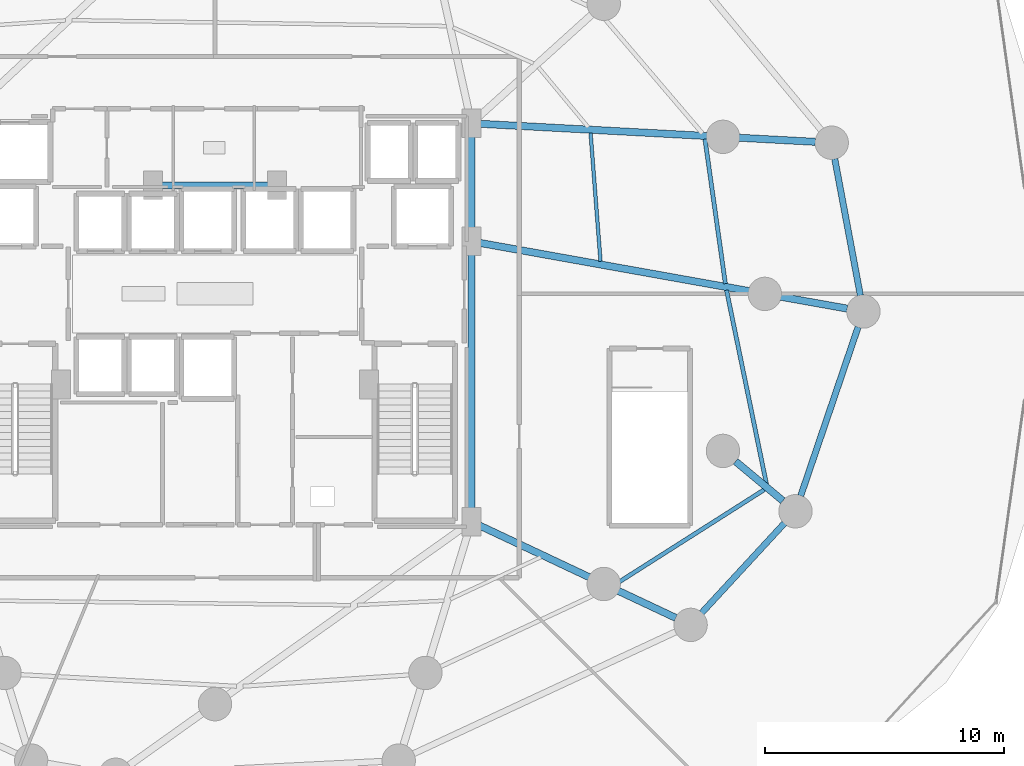
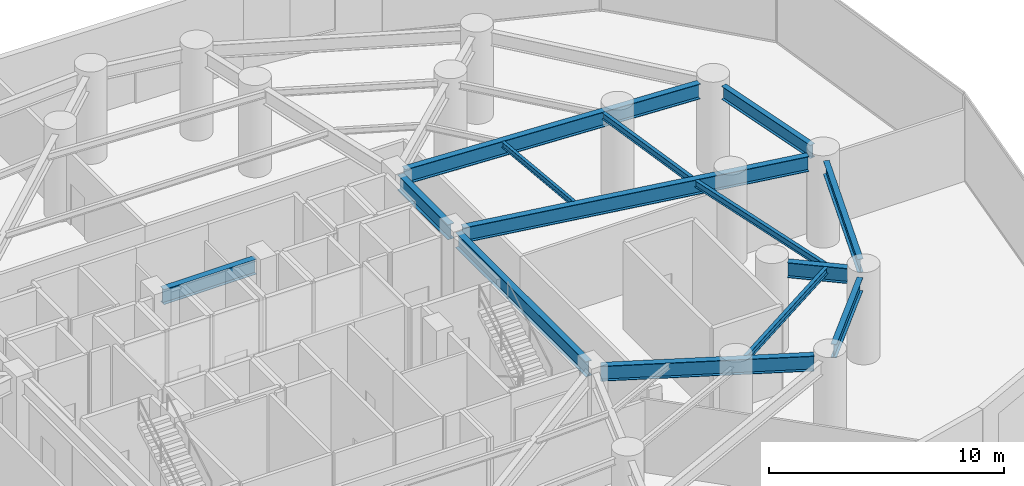
# One storey, part 13 of 32: 14 beams.
"""IFC4 building model written with IfcOpenShell, lengths in metres."""

import ifcopenshell
import ifcopenshell.guid

model = None  # the IFC model being written
_history = None  # IfcOwnerHistory: only IFC2X3 demands one
_inside = {}  # id of a spatial element -> (the spatial element, [elements in it])
_under = {}  # id of a project, library or spatial element -> (it, [spatial elements below it])
_declared = {}  # id of a project -> (the project, [libraries it declares])
_typed = {}  # id of a type object -> (the type object, [elements of that type])
_made_of = {}  # id of a material, layer set ... -> (it, [elements and type objects made of it])


def new_model(schema):
    """Start an empty IFC model of exactly this schema.

    Asked for "IFC4X3", IfcOpenShell would pick the latest addendum, in which some entities
    have other attributes; the version numbers below select the first issue.
    IFC2X3 requires an IfcOwnerHistory on every rooted entity: one is made here for all.
    """
    global model, _history
    if schema == "IFC4X3":
        model = ifcopenshell.file(schema_version=(4, 3, 0, 0))
    else:
        model = ifcopenshell.file(schema=schema)
    _inside.clear()
    _under.clear()
    _declared.clear()
    _typed.clear()
    _made_of.clear()
    _history = None
    if model.schema == "IFC2X3":
        org = make("IfcOrganization", Name="unknown")
        user = make(
            "IfcPersonAndOrganization",
            ThePerson=make("IfcPerson", FamilyName="unknown"),
            TheOrganization=org,
        )
        app = make(
            "IfcApplication",
            ApplicationDeveloper=org,
            Version="unknown",
            ApplicationFullName="unknown",
            ApplicationIdentifier="unknown",
        )
        _history = make(
            "IfcOwnerHistory",
            OwningUser=user,
            OwningApplication=app,
            ChangeAction="ADDED",
            CreationDate=0,
        )
    return model


def make(cls, **values):
    """One entity of the class cls with the attributes given. An attribute that is None is left unset."""
    return model.create_entity(
        cls, **{name: value for name, value in values.items() if value is not None}
    )


def rooted(cls, **values):
    """An entity with a GlobalId (a new one), such as an element, a storey or a relation."""
    return make(cls, GlobalId=ifcopenshell.guid.new(), OwnerHistory=_history, **values)


def si_unit(unit_type, name, prefix=None):
    """IfcSIUnit, for example si_unit("LENGTHUNIT", "METRE", prefix="MILLI")."""
    return make("IfcSIUnit", UnitType=unit_type, Prefix=prefix, Name=name)


def assignment(units):
    """IfcUnitAssignment: the units of a project."""
    return None if units is None else make("IfcUnitAssignment", Units=units)


def point(xyz):
    """IfcCartesianPoint."""
    return None if xyz is None else make("IfcCartesianPoint", Coordinates=xyz)


def direction(xyz):
    """IfcDirection."""
    return None if xyz is None else make("IfcDirection", DirectionRatios=xyz)


def frame(location, z_axis=None, x_axis=None):
    """IfcAxis2Placement3D, a coordinate frame: its origin and axes. An axis left out is left unset."""
    return make(
        "IfcAxis2Placement3D",
        Location=point(location),
        Axis=direction(z_axis),
        RefDirection=direction(x_axis),
    )


def frame_2d(location, x_axis=None):
    """IfcAxis2Placement2D, a coordinate frame in the plane: its origin and x axis."""
    return make(
        "IfcAxis2Placement2D", Location=point(location), RefDirection=direction(x_axis)
    )


def origin():
    """The frame at (0, 0, 0) with its axes left unset."""
    return frame((0.0, 0.0, 0.0))


def origin_2d():
    """The frame at (0, 0) in the plane with its x axis left unset."""
    return frame_2d((0.0, 0.0))


def place(relative_to, where):
    """IfcLocalPlacement: puts the frame where relative to a parent placement (None: the world)."""
    return make(
        "IfcLocalPlacement", PlacementRelTo=relative_to, RelativePlacement=where
    )


def context(
    kind, dimensions, precision=None, world=None, true_north=None, identifier=None
):
    """IfcGeometricRepresentationContext, for example the 3D "Model" context."""
    return make(
        "IfcGeometricRepresentationContext",
        ContextIdentifier=identifier,
        ContextType=kind,
        CoordinateSpaceDimension=dimensions,
        Precision=precision,
        WorldCoordinateSystem=world,
        TrueNorth=true_north,
    )


def subcontext(parent, identifier, kind, view, scale=None):
    """IfcGeometricRepresentationSubContext, for example "Body" below "Model"."""
    return make(
        "IfcGeometricRepresentationSubContext",
        ContextIdentifier=identifier,
        ContextType=kind,
        ParentContext=parent,
        TargetScale=scale,
        TargetView=view,
    )


def project(units=None, contexts=None):
    """IfcProject with its units and contexts."""
    return rooted(
        "IfcProject",
        Name="project",
        RepresentationContexts=contexts,
        UnitsInContext=assignment(units),
    )


def spatial(cls, under=None, at=None, **own):
    """A site, building, storey or space (cls), placed at a placement, below another one or the project."""
    s = rooted(cls, ObjectPlacement=at, **own)
    if under is not None:
        _under.setdefault(under.id(), (under, []))[1].append(s)
    return s


def profile(cls, at=None, kind="AREA", **sizes):
    """A parametric profile (cls). Its sizes go by their IFC names, for example OverallWidth=200.0."""
    return make(cls, ProfileType=kind, Position=at, **sizes)


def i_section(**sizes):
    """IfcIShapeProfileDef."""
    return profile("IfcIShapeProfileDef", **sizes)


def extrude(swept, where, along, depth):
    """IfcExtrudedAreaSolid: the profile swept, set in the frame where, extruded along a direction by depth."""
    return make(
        "IfcExtrudedAreaSolid",
        SweptArea=swept,
        Position=where,
        ExtrudedDirection=direction(along),
        Depth=depth,
    )


def shape(context_of_items, identifier, shape_type, items):
    """IfcShapeRepresentation: the items that make up one representation, for example the "Body"."""
    return make(
        "IfcShapeRepresentation",
        ContextOfItems=context_of_items,
        RepresentationIdentifier=identifier,
        RepresentationType=shape_type,
        Items=items,
    )


def material(Name=None, Category=None):
    """IfcMaterial."""
    return make("IfcMaterial", Name=Name, Category=Category)


def material_profile(
    of_material, cross_section, Name=None, Category=None, Priority=None
):
    """IfcMaterialProfile: a cross section and its material."""
    return make(
        "IfcMaterialProfile",
        Name=Name,
        Material=of_material,
        Profile=cross_section,
        Priority=Priority,
        Category=Category,
    )


def profile_set(profiles, Name=None, composite=None):
    """IfcMaterialProfileSet."""
    return make(
        "IfcMaterialProfileSet",
        Name=Name,
        MaterialProfiles=profiles,
        CompositeProfile=composite,
    )


def made_of(thing, what):
    """Note that an element or type object is made of a material, layer set ...; save() writes the relation."""
    if what is not None:
        _made_of.setdefault(what.id(), (what, []))[1].append(thing)
    return thing


def type_object(cls, material=None, **own):
    """A type object (cls), such as IfcWallType, which elements share."""
    return made_of(rooted(cls, **own), material)


def element(
    cls,
    number,
    at=None,
    inside=None,
    cuts=None,
    type_object=None,
    material=None,
    context=None,
    identifier="Body",
    shape_type=None,
    held_by="IfcProductDefinitionShape",
    body=None,
    shapes=None,
    **own,
):
    """One element of the class cls, such as IfcWall. Its Tag is "e" and its number.

    at: its placement. inside: the storey or other place that contains it. cuts: it is an
    opening in that element (IfcRelVoidsElement). A single representation is given by context,
    identifier, shape_type and body (its items); several are given by shapes. held_by: the class
    of the entity that holds the representations. save() writes the other relations.
    """
    e = rooted(cls, Tag="e%d" % number, ObjectPlacement=at, **own)
    if body is not None:
        shapes = [shape(context, identifier, shape_type, body)]
    if shapes is not None:
        e.Representation = make(held_by, Representations=shapes)
    if inside is not None:
        _inside.setdefault(inside.id(), (inside, []))[1].append(e)
    if cuts is not None:
        rooted(
            "IfcRelVoidsElement", RelatingBuildingElement=cuts, RelatedOpeningElement=e
        )
    if type_object is not None:
        _typed.setdefault(type_object.id(), (type_object, []))[1].append(e)
    return made_of(e, material)


def aggregate(whole, parts):
    """IfcRelAggregates: a whole, such as a stair, and the parts it consists of."""
    return rooted("IfcRelAggregates", RelatingObject=whole, RelatedObjects=parts)


def save(model, path):
    """Write the relations noted so far, then the file.

    IfcRelAggregates (storeys below a building ...), IfcRelContainedInSpatialStructure (elements
    in a storey), IfcRelDefinesByType, IfcRelAssociatesMaterial and IfcRelDeclares: one each for
    every whole, place, type object, material and project.
    """
    for whole, parts in _under.values():
        aggregate(whole, parts)
    for where, things in _inside.values():
        rooted(
            "IfcRelContainedInSpatialStructure",
            RelatedElements=things,
            RelatingStructure=where,
        )
    for kind, things in _typed.values():
        rooted("IfcRelDefinesByType", RelatedObjects=things, RelatingType=kind)
    for what, things in _made_of.values():
        rooted("IfcRelAssociatesMaterial", RelatedObjects=things, RelatingMaterial=what)
    for by, libraries in _declared.values():
        rooted("IfcRelDeclares", RelatingContext=by, RelatedDefinitions=libraries)
    model.write(path)


model = new_model("IFC4")

# Units and contexts
model_context = context("Model", 3, precision=1e-05, world=origin(), true_north=direction((0.0, 1.0)))
body_context = subcontext(model_context, "Body", "Model", "MODEL_VIEW")
ifc_project = project(units=[si_unit("LENGTHUNIT", "METRE"), si_unit("AREAUNIT", "SQUARE_METRE"), si_unit("VOLUMEUNIT", "CUBIC_METRE"), si_unit("PLANEANGLEUNIT", "RADIAN"), si_unit("MASSUNIT", "GRAM", prefix="KILO")], contexts=[model_context])

# Site, building, storey
site_placement = place(None, origin())
site = spatial("IfcSite", under=ifc_project, at=site_placement, CompositionType="ELEMENT")
building_placement = place(site_placement, origin())
building = spatial("IfcBuilding", under=site, at=building_placement, Name="Vorneva Point Tower", CompositionType="ELEMENT")
storey_placement = place(building_placement, frame((0.0, 0.0, 19.199951171875)))
storey = spatial("IfcBuildingStorey", under=building, at=storey_placement, Name="L04", CompositionType="ELEMENT", Elevation=19.199951171875)

# Beams
ifc_material = material(Name="Steel S355", Category="steel")
ifc_material_profile_1 = material_profile(ifc_material, i_section(OverallWidth=0.300048828125, OverallDepth=0.7880859375, WebThickness=0.014404296875, FlangeThickness=0.02197265625, at=origin_2d()), Name="80Sh1")
ifc_profile_set_1 = profile_set([ifc_material_profile_1], Name="Steel S355")
beam_type_1 = type_object("IfcBeamType", Name="BM-GRD-80Sh1", PredefinedType="USERDEFINED", material=ifc_profile_set_1)
beam_1_placement = place(storey_placement, frame((64.5048828125, 25.382080078125, 4.14599609375), z_axis=(-0.984378315353, 0.17606627236, 0.0), x_axis=(-0.17606627236, -0.984378315353, 0.0)))
element("IfcBeam", 1, at=beam_1_placement, inside=storey, type_object=beam_type_1, Name="L04 Radial Primary Girder 01", ObjectType="GIRDER", PredefinedType="USERDEFINED", context=body_context, shape_type="SweptSolid", body=[
    extrude(i_section(OverallWidth=0.300048828125, OverallDepth=0.7880859375, WebThickness=0.014404296875, FlangeThickness=0.02197265625, at=origin_2d()), origin(), (0.0, 0.0, 1.0), 15.664794921875),
])
beam_2_placement = place(storey_placement, frame((63.16748046875, 32.373779296875, 4.14599609375), z_axis=(-0.998554305988, 0.053752190586, 0.0), x_axis=(-0.053752190586, -0.998554305988, 0.0)))
element("IfcBeam", 2, at=beam_2_placement, inside=storey, type_object=beam_type_1, Name="L04 Radial Primary Girder 02", ObjectType="GIRDER", PredefinedType="USERDEFINED", context=body_context, shape_type="SweptSolid", body=[
    extrude(i_section(OverallWidth=0.300048828125, OverallDepth=0.7880859375, WebThickness=0.014404296875, FlangeThickness=0.02197265625, at=origin_2d()), origin(), (0.0, 0.0, 1.0), 14.09814453125),
])
beam_3_placement = place(storey_placement, frame((57.316162109375, 12.417236328125, 4.14599609375), z_axis=(-0.904752620724, 0.425937431195, 0.0), x_axis=(-0.425937431195, -0.904752620724, 0.0)))
element("IfcBeam", 3, at=beam_3_placement, inside=storey, type_object=beam_type_1, Name="L04 Radial Primary Girder 15", ObjectType="GIRDER", PredefinedType="USERDEFINED", context=body_context, shape_type="SweptSolid", body=[
    extrude(i_section(OverallWidth=0.300048828125, OverallDepth=0.7880859375, WebThickness=0.014404296875, FlangeThickness=0.02197265625, at=origin_2d()), origin(), (0.0, 0.0, 1.0), 9.1279296875),
])
beam_4_placement = place(storey_placement, frame((61.80615234375, 17.326904296875, 4.14599609375), z_axis=(-0.768407453213, 0.639960925249, 0.0), x_axis=(-0.639960925249, -0.768407453213, 0.0)))
element("IfcBeam", 4, at=beam_4_placement, inside=storey, type_object=beam_type_1, Name="L04 Radial Primary Girder 16", ObjectType="GIRDER", PredefinedType="USERDEFINED", context=body_context, shape_type="SweptSolid", body=[
    extrude(i_section(OverallWidth=0.300048828125, OverallDepth=0.7880859375, WebThickness=0.014404296875, FlangeThickness=0.02197265625, at=origin_2d()), origin(), (0.0, 0.0, 1.0), 2.579345703125),
])
beam_5_placement = place(storey_placement, frame((48.75, 16.77001953125, 4.14599609375), z_axis=(0.0, 1.0, 0.0), x_axis=(-1.0, 0.0, 0.0)))
element("IfcBeam", 5, at=beam_5_placement, inside=storey, type_object=beam_type_1, Name="L04 Core Tie Girder CT3", ObjectType="GIRDER", PredefinedType="USERDEFINED", context=body_context, shape_type="SweptSolid", body=[
    extrude(i_section(OverallWidth=0.300048828125, OverallDepth=0.7880859375, WebThickness=0.014404296875, FlangeThickness=0.02197265625, at=origin_2d()), origin(), (0.0, 0.0, 1.0), 11.10986328125),
])
beam_6_placement = place(storey_placement, frame((48.75, 28.52001953125, 4.14599609375), z_axis=(0.0, 1.0, 0.0), x_axis=(-1.0, 0.0, 0.0)))
element("IfcBeam", 6, at=beam_6_placement, inside=storey, type_object=beam_type_1, Name="L04 Core Tie Girder CT4", ObjectType="GIRDER", PredefinedType="USERDEFINED", context=body_context, shape_type="SweptSolid", body=[
    extrude(i_section(OverallWidth=0.300048828125, OverallDepth=0.7880859375, WebThickness=0.014404296875, FlangeThickness=0.02197265625, at=origin_2d()), origin(), (0.0, 0.0, 1.0), 4.31005859375),
])
beam_7_placement = place(storey_placement, frame((35.719970703125, 30.550048828125, 4.14599609375), z_axis=(1.0, 0.0, 0.0), x_axis=(0.0, 1.0, 0.0)))
element("IfcBeam", 7, at=beam_7_placement, inside=storey, type_object=beam_type_1, Name="L04 Core Tie Girder CT8", ObjectType="GIRDER", PredefinedType="USERDEFINED", context=body_context, shape_type="SweptSolid", body=[
    extrude(i_section(OverallWidth=0.300048828125, OverallDepth=0.7880859375, WebThickness=0.014404296875, FlangeThickness=0.02197265625, at=origin_2d()), origin(), (0.0, 0.0, 1.0), 4.56005859375),
])
ifc_material_profile_2 = material_profile(ifc_material, i_section(OverallWidth=0.14892578125, OverallDepth=0.298095703125, WebThickness=0.005615234375, FlangeThickness=0.008056640625, at=origin_2d()), Name="30B1")
ifc_profile_set_2 = profile_set([ifc_material_profile_2], Name="Steel S355")
beam_type_2 = type_object("IfcBeamType", Name="BM-JST-30B1", PredefinedType="JOIST", material=ifc_profile_set_2)
beam_8_placement = place(storey_placement, frame((54.16259765625, 27.367431640625, 4.39111328125), z_axis=(-0.077281576911, 0.997009306812, 0.0), x_axis=(-0.997009306812, -0.077281576911, 0.0)))
element("IfcBeam", 8, at=beam_8_placement, inside=storey, type_object=beam_type_2, Name="L04 Secondary Floor Beam 2.01", PredefinedType="JOIST", context=body_context, shape_type="SweptSolid", body=[
    extrude(i_section(OverallWidth=0.14892578125, OverallDepth=0.298095703125, WebThickness=0.005615234375, FlangeThickness=0.008056640625, at=origin_2d()), origin(), (0.0, 0.0, 1.0), 5.392578125),
])
ifc_material_profile_3 = material_profile(ifc_material, i_section(OverallWidth=0.174072265625, OverallDepth=0.345947265625, WebThickness=0.006103515625, FlangeThickness=0.009033203125, at=origin_2d()), Name="35B1")
ifc_profile_set_3 = profile_set([ifc_material_profile_3], Name="Steel S355")
beam_type_3 = type_object("IfcBeamType", Name="BM-SEC-35B1", PredefinedType="BEAM", material=ifc_profile_set_3)
beam_9_placement = place(storey_placement, frame((59.39697265625, 26.4287109375, 4.366943359375), z_axis=(-0.139890609966, 0.990166964326, 0.0), x_axis=(-0.990166964326, -0.139890609966, 0.0)))
element("IfcBeam", 9, at=beam_9_placement, inside=storey, type_object=beam_type_3, Name="L04 Secondary Floor Beam 1.01", PredefinedType="BEAM", context=body_context, shape_type="SweptSolid", body=[
    extrude(i_section(OverallWidth=0.174072265625, OverallDepth=0.345947265625, WebThickness=0.006103515625, FlangeThickness=0.009033203125, at=origin_2d()), origin(), (0.0, 0.0, 1.0), 6.11865234375),
])
beam_10_placement = place(storey_placement, frame((54.707275390625, 13.7744140625, 4.366943359375), z_axis=(0.84390002524, 0.53650046356, 0.0), x_axis=(-0.53650046356, 0.84390002524, 0.0)))
element("IfcBeam", 10, at=beam_10_placement, inside=storey, type_object=beam_type_3, Name="L04 Secondary Floor Beam 1.15", PredefinedType="BEAM", context=body_context, shape_type="SweptSolid", body=[
    extrude(i_section(OverallWidth=0.174072265625, OverallDepth=0.345947265625, WebThickness=0.006103515625, FlangeThickness=0.009033203125, at=origin_2d()), origin(), (0.0, 0.0, 1.0), 7.4990234375),
])
beam_11_placement = place(storey_placement, frame((61.124267578125, 18.006591796875, 4.366943359375), z_axis=(-0.20190124892, 0.979405884036, 0.0), x_axis=(-0.979405884036, -0.20190124892, 0.0)))
element("IfcBeam", 11, at=beam_11_placement, inside=storey, type_object=beam_type_3, Name="L04 Secondary Floor Beam 1.16", PredefinedType="BEAM", context=body_context, shape_type="SweptSolid", body=[
    extrude(i_section(OverallWidth=0.174072265625, OverallDepth=0.345947265625, WebThickness=0.006103515625, FlangeThickness=0.009033203125, at=origin_2d()), origin(), (0.0, 0.0, 1.0), 8.32177734375),
])
ifc_material_profile_4 = material_profile(ifc_material, i_section(OverallWidth=0.260009765625, OverallDepth=0.69091796875, WebThickness=0.011962890625, FlangeThickness=0.015380859375, at=origin_2d()), Name="70B1")
ifc_profile_set_4 = profile_set([ifc_material_profile_4], Name="Steel S355")
beam_type_4 = type_object("IfcBeamType", Name="BM-SPN-70B1", PredefinedType="SPANDREL", material=ifc_profile_set_4)
beam_12_placement = place(storey_placement, frame((65.055908203125, 25.93408203125, 4.194580078125), z_axis=(-0.184447841855, 0.982842303544, 0.0), x_axis=(-0.982842303544, -0.184447841855, 0.0)))
element("IfcBeam", 12, at=beam_12_placement, inside=storey, type_object=beam_type_4, Name="L04 Perimeter Spandrel Ring Beam 01", PredefinedType="SPANDREL", context=body_context, shape_type="SweptSolid", body=[
    extrude(i_section(OverallWidth=0.260009765625, OverallDepth=0.69091796875, WebThickness=0.011962890625, FlangeThickness=0.015380859375, at=origin_2d()), origin(), (0.0, 0.0, 1.0), 5.829345703125),
])
beam_13_placement = place(storey_placement, frame((58.4033203125, 12.62744140625, 4.194580078125), z_axis=(0.678290021617, 0.734794288611, 0.0), x_axis=(-0.734794288611, 0.678290021617, 0.0)))
element("IfcBeam", 13, at=beam_13_placement, inside=storey, type_object=beam_type_4, Name="L04 Perimeter Spandrel Ring Beam 15", PredefinedType="SPANDREL", context=body_context, shape_type="SweptSolid", body=[
    extrude(i_section(OverallWidth=0.260009765625, OverallDepth=0.69091796875, WebThickness=0.011962890625, FlangeThickness=0.015380859375, at=origin_2d()), origin(), (0.0, 0.0, 1.0), 5.111328125),
])
beam_14_placement = place(storey_placement, frame((62.555419921875, 17.534912109375, 4.194580078125), z_axis=(0.321895121583, 0.946775332749, 0.0), x_axis=(-0.946775332749, 0.321895121583, 0.0)))
element("IfcBeam", 14, at=beam_14_placement, inside=storey, type_object=beam_type_4, Name="L04 Perimeter Spandrel Ring Beam 16", PredefinedType="SPANDREL", context=body_context, shape_type="SweptSolid", body=[
    extrude(i_section(OverallWidth=0.260009765625, OverallDepth=0.69091796875, WebThickness=0.011962890625, FlangeThickness=0.015380859375, at=origin_2d()), origin(), (0.0, 0.0, 1.0), 7.475341796875),
])

save(model, "model.ifc")
